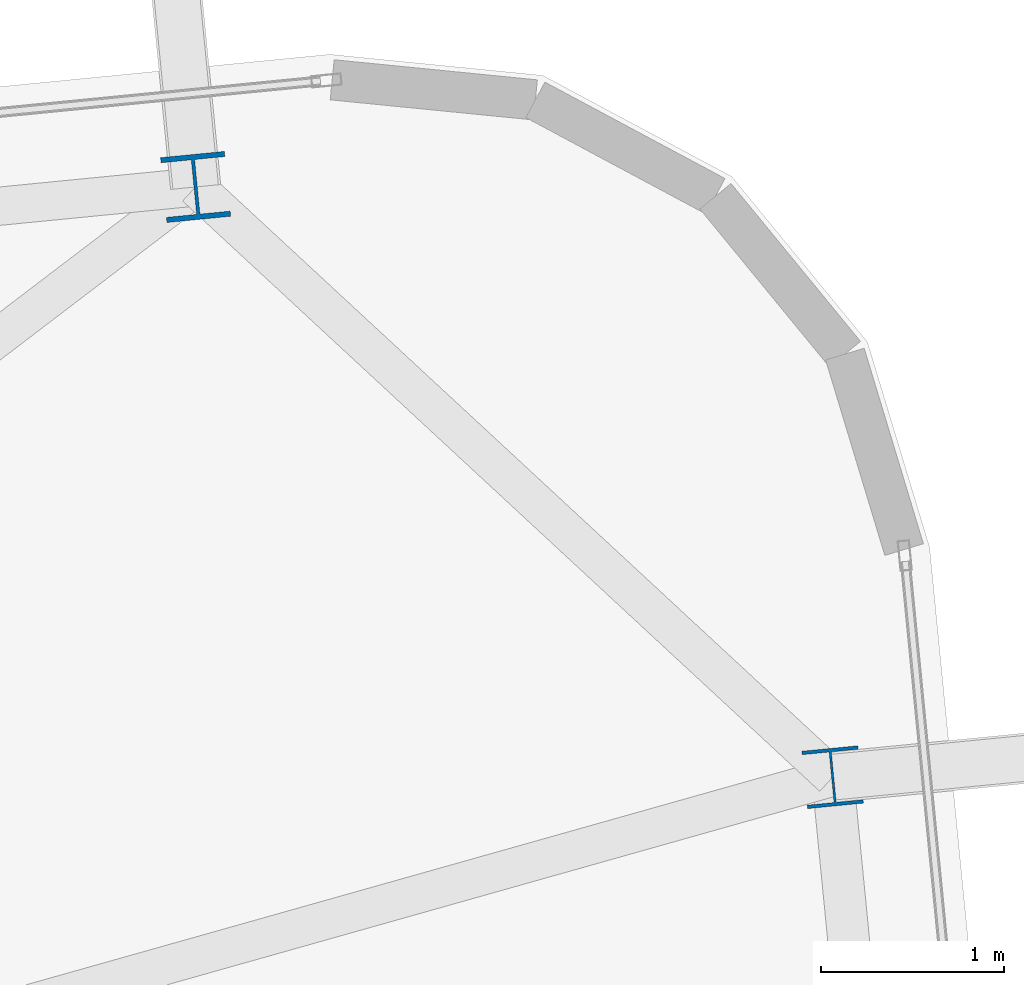
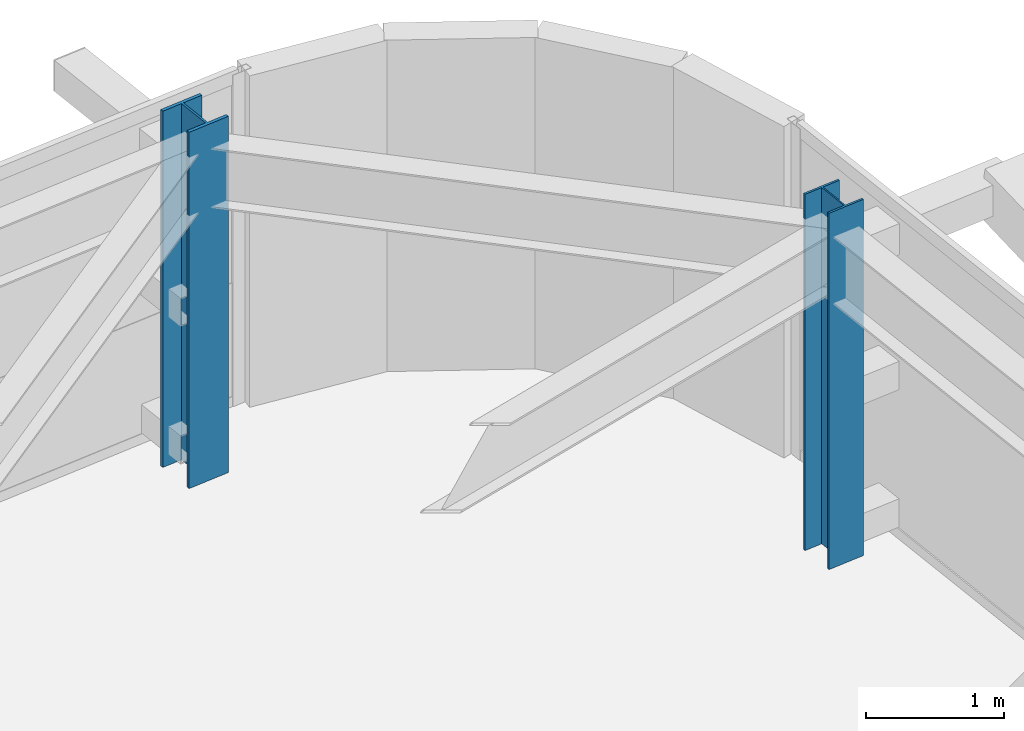
# One storey, part 4 of 52: 2 columns.
"""IFC4 building model written with IfcOpenShell, lengths in metres."""

from ifc_helpers import new_model, si_unit, direction, frame, origin, origin_2d, place, context, subcontext, project, spatial, i_section, extrude, source, transform, mapped, material, material_profile, profile_set, type_object, element, save


model = new_model("IFC4")

# Units and contexts
model_context = context("Model", 3, precision=1e-05, world=origin(), true_north=direction((0.0, 1.0)))
body_context = subcontext(model_context, "Body", "Model", "MODEL_VIEW")
ifc_project = project(units=[si_unit("LENGTHUNIT", "METRE"), si_unit("AREAUNIT", "SQUARE_METRE"), si_unit("VOLUMEUNIT", "CUBIC_METRE"), si_unit("PLANEANGLEUNIT", "RADIAN"), si_unit("MASSUNIT", "GRAM", prefix="KILO")], contexts=[model_context])

# Site, building, storey
site_placement = place(None, origin())
site = spatial("IfcSite", under=ifc_project, at=site_placement, CompositionType="ELEMENT")
building_placement = place(site_placement, origin())
building = spatial("IfcBuilding", under=site, at=building_placement, Name="Taldren Reach Tower", CompositionType="ELEMENT")
storey_placement = place(building_placement, frame((0.0, 0.0, 96.60009765625)))
storey = spatial("IfcBuildingStorey", under=building, at=storey_placement, Name="L29", CompositionType="ELEMENT", Elevation=96.60009765625)

# Columns
ifc_material = material(Name="Steel Gr 350 (350PLUS)", Category="steel")
ifc_material_profile_1 = material_profile(ifc_material, i_section(OverallWidth=0.35009765625, OverallDepth=0.35595703125, WebThickness=0.01806640625, FlangeThickness=0.028076171875, at=origin_2d()), Name="350WC197")
ifc_profile_set_1 = profile_set([ifc_material_profile_1], Name="Steel Gr 350 (350PLUS)")
column_type_1 = type_object("IfcColumnType", Name="COL-WC350", PredefinedType="COLUMN", material=ifc_profile_set_1)
shared_shape_1 = source(origin(), body_context, "Body", "SweptSolid", [
    extrude(i_section(OverallWidth=0.35009765625, OverallDepth=0.35595703125, WebThickness=0.01806640625, FlangeThickness=0.028076171875, at=origin_2d()), origin(), (0.0, 0.0, 1.0), 3.14990234375),
])
column_1_placement = place(storey_placement, frame((59.765869140625, 38.679931640625, 0.0), z_axis=(0.0, 0.0, 1.0), x_axis=(0.995227399982, 0.097582899759, 0.0)))
element("IfcColumn", 1, at=column_1_placement, inside=storey, type_object=column_type_1, Name="Block B2 perimeter column N6 L29", PredefinedType="COLUMN", context=body_context, shape_type="MappedRepresentation", body=[
    mapped(shared_shape_1, transform((0.0, 0.0, 0.0), scale=1.0)),
])
ifc_material_profile_2 = material_profile(ifc_material, i_section(OverallWidth=0.306884765625, OverallDepth=0.31494140625, WebThickness=0.011962890625, FlangeThickness=0.018798828125, at=origin_2d()), Name="310UC118")
ifc_profile_set_2 = profile_set([ifc_material_profile_2], Name="Steel Gr 350 (350PLUS)")
column_type_2 = type_object("IfcColumnType", Name="COL-UC310B", PredefinedType="COLUMN", material=ifc_profile_set_2)
shared_shape_2 = source(origin(), body_context, "Body", "SweptSolid", [
    extrude(i_section(OverallWidth=0.306884765625, OverallDepth=0.31494140625, WebThickness=0.011962890625, FlangeThickness=0.018798828125, at=origin_2d()), origin(), (0.0, 0.0, 1.0), 3.14990234375),
])
column_2_placement = place(storey_placement, frame((63.247314453125, 35.454345703125, 0.0), z_axis=(0.0, 0.0, 1.0), x_axis=(0.995227399982, 0.097582899759, 0.0)))
element("IfcColumn", 2, at=column_2_placement, inside=storey, type_object=column_type_2, Name="Block B2 perimeter column E3 L29", PredefinedType="COLUMN", context=body_context, shape_type="MappedRepresentation", body=[
    mapped(shared_shape_2, transform((0.0, 0.0, 0.0), scale=1.0)),
])

save(model, "model.ifc")
